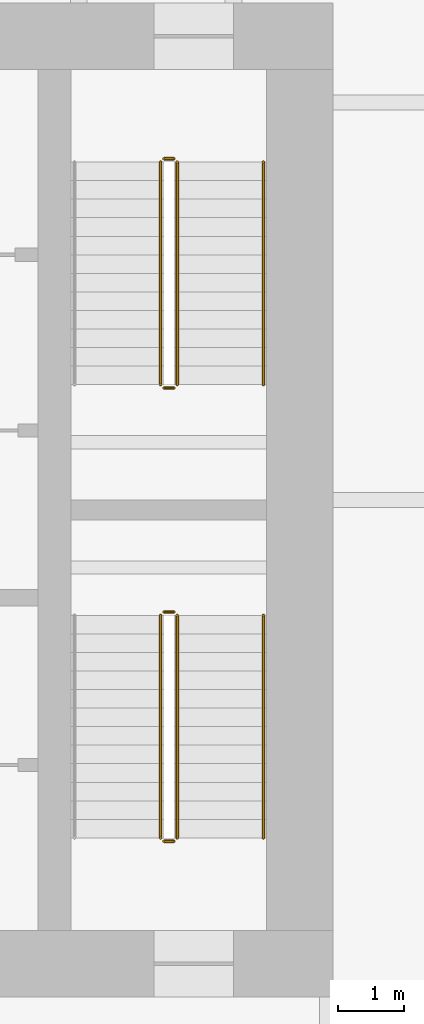
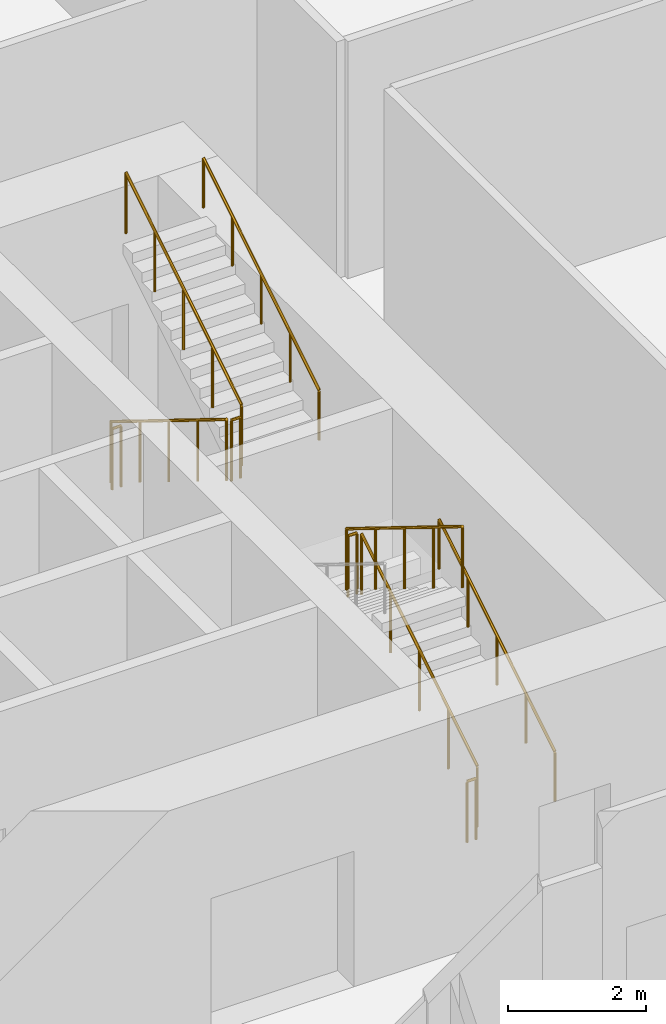
# One storey, part 31 of 32: 10 railings.
"""IFC4 building model written with IfcOpenShell, lengths in metres."""

from ifc_helpers import new_model, si_unit, direction, frame, origin, origin_2d, place, context, subcontext, project, spatial, circle, extrude, material, type_object, element, save


model = new_model("IFC4")

# Units and contexts
model_context = context("Model", 3, precision=1e-05, world=origin(), true_north=direction((0.0, 1.0)))
body_context = subcontext(model_context, "Body", "Model", "MODEL_VIEW")
ifc_project = project(units=[si_unit("LENGTHUNIT", "METRE"), si_unit("AREAUNIT", "SQUARE_METRE"), si_unit("VOLUMEUNIT", "CUBIC_METRE"), si_unit("PLANEANGLEUNIT", "RADIAN"), si_unit("MASSUNIT", "GRAM", prefix="KILO")], contexts=[model_context])

# Site, building, storey
site_placement = place(None, origin())
site = spatial("IfcSite", under=ifc_project, at=site_placement, CompositionType="ELEMENT")
building_placement = place(site_placement, origin())
building = spatial("IfcBuilding", under=site, at=building_placement, Name="Isthmus Gate Tower", CompositionType="ELEMENT")
storey_placement = place(building_placement, frame((0.0, 0.0, 18.0)))
storey = spatial("IfcBuildingStorey", under=building, at=storey_placement, Name="L02", CompositionType="ELEMENT", Elevation=18.0)

# Railings
ifc_material_1 = material(Name="Stainless steel balustrade", Category="steel")
railing_type_1 = type_object("IfcRailingType", Name="STAIR GUARD 1100", PredefinedType="GUARDRAIL", material=ifc_material_1)
railing_1_placement = place(storey_placement, frame((12.39990234375, 12.60009765625, 0.173095703125)))
element("IfcRailing", 1, at=railing_1_placement, inside=storey, type_object=railing_type_1, Name="L02 ST2 stair guard 1", PredefinedType="GUARDRAIL", context=body_context, shape_type="SweptSolid", body=[
    extrude(circle(Radius=0.02392578125, at=origin_2d()), frame((0.0, 0.0, 1.076171875), z_axis=(0.0, -0.850623216509, 0.525775754039), x_axis=(1.0, 0.0, 0.0)), (0.0, 0.0, 1.0), 3.9501953125),
    extrude(circle(Radius=0.02099609375, at=origin_2d()), origin(), (0.0, 0.0, 1.0), 1.052001953125),
    extrude(circle(Radius=0.02099609375, at=origin_2d()), frame((0.0, -0.840087890625, 0.519287109375)), (0.0, 0.0, 1.0), 1.052001953125),
    extrude(circle(Radius=0.02099609375, at=origin_2d()), frame((0.0, -1.68017578125, 1.03857421875)), (0.0, 0.0, 1.0), 1.052001953125),
    extrude(circle(Radius=0.02099609375, at=origin_2d()), frame((0.0, -2.52001953125, 1.5576171875)), (0.0, 0.0, 1.0), 1.052001953125),
    extrude(circle(Radius=0.02099609375, at=origin_2d()), frame((0.0, -3.360107421875, 2.076904296875)), (0.0, 0.0, 1.0), 1.052001953125),
])
railing_2_placement = place(storey_placement, frame((12.449951171875, 9.18994140625, 2.25)))
element("IfcRailing", 2, at=railing_2_placement, inside=storey, type_object=railing_type_1, Name="L02 ST2 stair guard 2", PredefinedType="GUARDRAIL", context=body_context, shape_type="SweptSolid", body=[
    extrude(circle(Radius=0.02392578125, at=origin_2d()), frame((0.0, 0.0, 1.076171875), z_axis=(1.0, 0.0, 0.0), x_axis=(0.0, 1.0, 0.0)), (0.0, 0.0, 1.0), 0.150146484375),
    extrude(circle(Radius=0.02099609375, at=origin_2d()), origin(), (0.0, 0.0, 1.0), 1.052001953125),
    extrude(circle(Radius=0.02099609375, at=origin_2d()), frame((0.150146484375, 0.0, 0.0)), (0.0, 0.0, 1.0), 1.052001953125),
])
railing_3_placement = place(storey_placement, frame((12.64990234375, 9.239990234375, 2.423095703125)))
element("IfcRailing", 3, at=railing_3_placement, inside=storey, type_object=railing_type_1, Name="L02 ST2 stair guard 3", PredefinedType="GUARDRAIL", context=body_context, shape_type="SweptSolid", body=[
    extrude(circle(Radius=0.02392578125, at=origin_2d()), frame((0.0, 0.0, 1.076171875), z_axis=(0.0, 0.850623216509, 0.525775754039), x_axis=(-1.0, 0.0, 0.0)), (0.0, 0.0, 1.0), 3.9501953125),
    extrude(circle(Radius=0.02099609375, at=origin_2d()), origin(), (0.0, 0.0, 1.0), 1.052001953125),
    extrude(circle(Radius=0.02099609375, at=origin_2d()), frame((0.0, 0.840087890625, 0.519287109375)), (0.0, 0.0, 1.0), 1.052001953125),
    extrude(circle(Radius=0.02099609375, at=origin_2d()), frame((0.0, 1.68017578125, 1.03857421875)), (0.0, 0.0, 1.0), 1.052001953125),
    extrude(circle(Radius=0.02099609375, at=origin_2d()), frame((0.0, 2.52001953125, 1.5576171875)), (0.0, 0.0, 1.0), 1.052001953125),
    extrude(circle(Radius=0.02099609375, at=origin_2d()), frame((0.0, 3.360107421875, 2.076904296875)), (0.0, 0.0, 1.0), 1.052001953125),
])
railing_4_placement = place(storey_placement, frame((12.449951171875, 12.64990234375, 0.0)))
element("IfcRailing", 4, at=railing_4_placement, inside=storey, type_object=railing_type_1, Name="L02 ST2 stair guard 4", PredefinedType="GUARDRAIL", context=body_context, shape_type="SweptSolid", body=[
    extrude(circle(Radius=0.02392578125, at=origin_2d()), frame((0.0, 0.0, 1.076171875), z_axis=(1.0, 0.0, 0.0), x_axis=(0.0, 1.0, 0.0)), (0.0, 0.0, 1.0), 0.150146484375),
    extrude(circle(Radius=0.02099609375, at=origin_2d()), origin(), (0.0, 0.0, 1.0), 1.052001953125),
    extrude(circle(Radius=0.02099609375, at=origin_2d()), frame((0.150146484375, 0.0, 0.0)), (0.0, 0.0, 1.0), 1.052001953125),
])
railing_5_placement = place(storey_placement, frame((12.64990234375, 2.39990234375, 0.173095703125)))
element("IfcRailing", 5, at=railing_5_placement, inside=storey, type_object=railing_type_1, Name="L02 ST8 stair guard 1", PredefinedType="GUARDRAIL", context=body_context, shape_type="SweptSolid", body=[
    extrude(circle(Radius=0.02392578125, at=origin_2d()), frame((0.0, 0.0, 1.076171875), z_axis=(0.0, 0.850623216509, 0.525775754039), x_axis=(-1.0, 0.0, 0.0)), (0.0, 0.0, 1.0), 3.9501953125),
    extrude(circle(Radius=0.02099609375, at=origin_2d()), origin(), (0.0, 0.0, 1.0), 1.052001953125),
    extrude(circle(Radius=0.02099609375, at=origin_2d()), frame((0.0, 0.840087890625, 0.519287109375)), (0.0, 0.0, 1.0), 1.052001953125),
    extrude(circle(Radius=0.02099609375, at=origin_2d()), frame((0.0, 1.68017578125, 1.03857421875)), (0.0, 0.0, 1.0), 1.052001953125),
    extrude(circle(Radius=0.02099609375, at=origin_2d()), frame((0.0, 2.52001953125, 1.5576171875)), (0.0, 0.0, 1.0), 1.052001953125),
    extrude(circle(Radius=0.02099609375, at=origin_2d()), frame((0.0, 3.360107421875, 2.076904296875)), (0.0, 0.0, 1.0), 1.052001953125),
])
railing_6_placement = place(storey_placement, frame((12.60009765625, 5.81005859375, 2.25)))
element("IfcRailing", 6, at=railing_6_placement, inside=storey, type_object=railing_type_1, Name="L02 ST8 stair guard 2", PredefinedType="GUARDRAIL", context=body_context, shape_type="SweptSolid", body=[
    extrude(circle(Radius=0.02392578125, at=origin_2d()), frame((0.0, 0.0, 1.076171875), z_axis=(-1.0, 0.0, 0.0), x_axis=(0.0, -1.0, 0.0)), (0.0, 0.0, 1.0), 0.150146484375),
    extrude(circle(Radius=0.02099609375, at=origin_2d()), origin(), (0.0, 0.0, 1.0), 1.052001953125),
    extrude(circle(Radius=0.02099609375, at=origin_2d()), frame((-0.150146484375, 0.0, 0.0)), (0.0, 0.0, 1.0), 1.052001953125),
])
railing_7_placement = place(storey_placement, frame((12.39990234375, 5.760009765625, 2.423095703125)))
element("IfcRailing", 7, at=railing_7_placement, inside=storey, type_object=railing_type_1, Name="L02 ST8 stair guard 3", PredefinedType="GUARDRAIL", context=body_context, shape_type="SweptSolid", body=[
    extrude(circle(Radius=0.02392578125, at=origin_2d()), frame((0.0, 0.0, 1.076171875), z_axis=(0.0, -0.850623216509, 0.525775754039), x_axis=(1.0, 0.0, 0.0)), (0.0, 0.0, 1.0), 3.9501953125),
    extrude(circle(Radius=0.02099609375, at=origin_2d()), origin(), (0.0, 0.0, 1.0), 1.052001953125),
    extrude(circle(Radius=0.02099609375, at=origin_2d()), frame((0.0, -0.840087890625, 0.519287109375)), (0.0, 0.0, 1.0), 1.052001953125),
    extrude(circle(Radius=0.02099609375, at=origin_2d()), frame((0.0, -1.68017578125, 1.03857421875)), (0.0, 0.0, 1.0), 1.052001953125),
    extrude(circle(Radius=0.02099609375, at=origin_2d()), frame((0.0, -2.52001953125, 1.5576171875)), (0.0, 0.0, 1.0), 1.052001953125),
    extrude(circle(Radius=0.02099609375, at=origin_2d()), frame((0.0, -3.360107421875, 2.076904296875)), (0.0, 0.0, 1.0), 1.052001953125),
])
railing_8_placement = place(storey_placement, frame((12.60009765625, 2.35009765625, 0.0)))
element("IfcRailing", 8, at=railing_8_placement, inside=storey, type_object=railing_type_1, Name="L02 ST8 stair guard 4", PredefinedType="GUARDRAIL", context=body_context, shape_type="SweptSolid", body=[
    extrude(circle(Radius=0.02392578125, at=origin_2d()), frame((0.0, 0.0, 1.076171875), z_axis=(-1.0, 0.0, 0.0), x_axis=(0.0, -1.0, 0.0)), (0.0, 0.0, 1.0), 0.150146484375),
    extrude(circle(Radius=0.02099609375, at=origin_2d()), origin(), (0.0, 0.0, 1.0), 1.052001953125),
    extrude(circle(Radius=0.02099609375, at=origin_2d()), frame((-0.150146484375, 0.0, 0.0)), (0.0, 0.0, 1.0), 1.052001953125),
])
ifc_material_2 = material(Name="Stainless steel handrail", Category="steel")
railing_type_2 = type_object("IfcRailingType", Name="STAIR HANDRAIL 900", PredefinedType="HANDRAIL", material=ifc_material_2)
for number, where, name in (
    (9, (13.949951171875, 9.239990234375, 2.423095703125), "L02 ST2 stair handrail 2"),
    (10, (13.949951171875, 2.39990234375, 0.173095703125), "L02 ST8 stair handrail 1"),
):
    element("IfcRailing", number, at=place(storey_placement, frame(where)), inside=storey, type_object=railing_type_2, Name=name, PredefinedType="HANDRAIL", context=body_context, shape_type="SweptSolid", body=[
        extrude(circle(Radius=0.02392578125, at=origin_2d()), frame((0.0, 0.0, 0.8759765625), z_axis=(0.0, 0.850623216509, 0.525775754039), x_axis=(-1.0, 0.0, 0.0)), (0.0, 0.0, 1.0), 3.9501953125),
        extrude(circle(Radius=0.02099609375, at=origin_2d()), origin(), (0.0, 0.0, 1.0), 0.851806640625),
        extrude(circle(Radius=0.02099609375, at=origin_2d()), frame((0.0, 0.840087890625, 0.519287109375)), (0.0, 0.0, 1.0), 0.851806640625),
        extrude(circle(Radius=0.02099609375, at=origin_2d()), frame((0.0, 1.68017578125, 1.03857421875)), (0.0, 0.0, 1.0), 0.851806640625),
        extrude(circle(Radius=0.02099609375, at=origin_2d()), frame((0.0, 2.52001953125, 1.5576171875)), (0.0, 0.0, 1.0), 0.851806640625),
        extrude(circle(Radius=0.02099609375, at=origin_2d()), frame((0.0, 3.360107421875, 2.076904296875)), (0.0, 0.0, 1.0), 0.851806640625),
    ])

save(model, "model.ifc")
